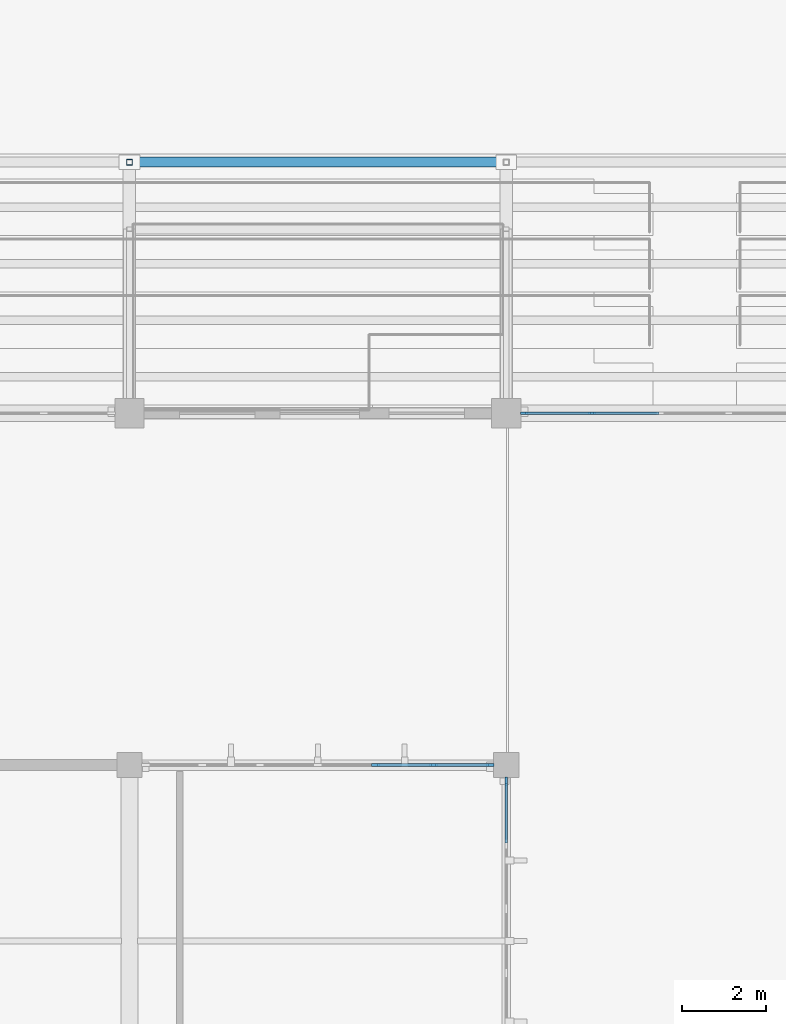
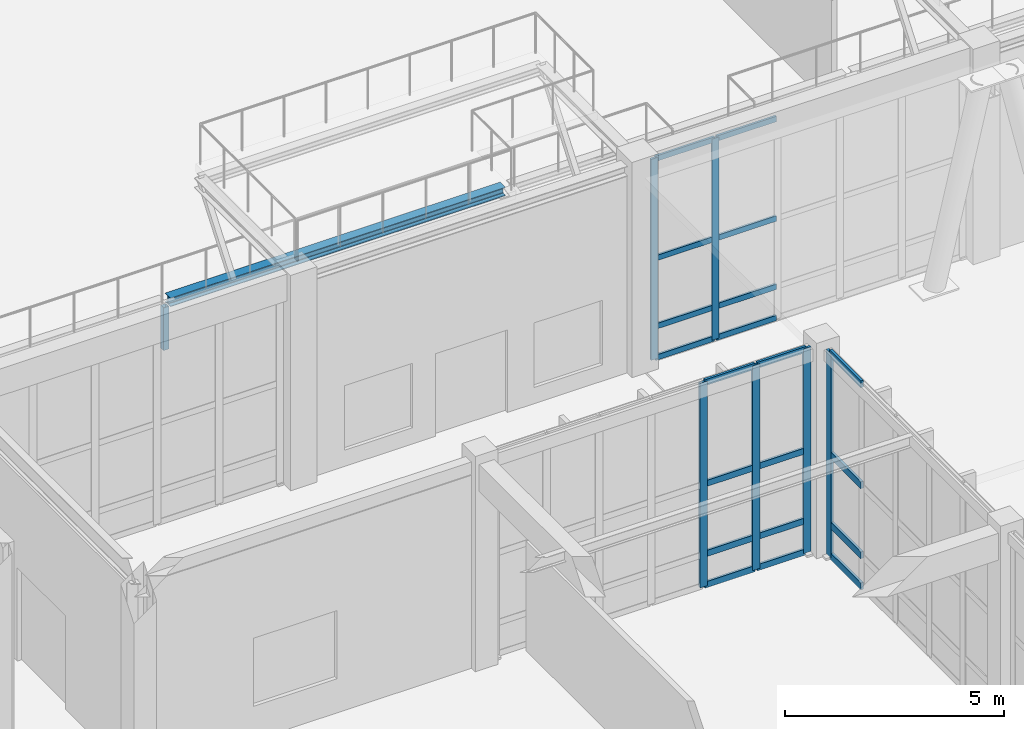
# One storey, part 36 of 110: 27 members, 1 beam, 3 elements without a shape of their own.
"""IFC4 building model written with IfcOpenShell, lengths in metres."""

import ifcopenshell
import ifcopenshell.guid

model = None  # the IFC model being written
_history = None  # IfcOwnerHistory: only IFC2X3 demands one
_inside = {}  # id of a spatial element -> (the spatial element, [elements in it])
_under = {}  # id of a project, library or spatial element -> (it, [spatial elements below it])
_declared = {}  # id of a project -> (the project, [libraries it declares])
_typed = {}  # id of a type object -> (the type object, [elements of that type])
_made_of = {}  # id of a material, layer set ... -> (it, [elements and type objects made of it])


def new_model(schema):
    """Start an empty IFC model of exactly this schema.

    Asked for "IFC4X3", IfcOpenShell would pick the latest addendum, in which some entities
    have other attributes; the version numbers below select the first issue.
    IFC2X3 requires an IfcOwnerHistory on every rooted entity: one is made here for all.
    """
    global model, _history
    if schema == "IFC4X3":
        model = ifcopenshell.file(schema_version=(4, 3, 0, 0))
    else:
        model = ifcopenshell.file(schema=schema)
    _inside.clear()
    _under.clear()
    _declared.clear()
    _typed.clear()
    _made_of.clear()
    _history = None
    if model.schema == "IFC2X3":
        org = make("IfcOrganization", Name="unknown")
        user = make(
            "IfcPersonAndOrganization",
            ThePerson=make("IfcPerson", FamilyName="unknown"),
            TheOrganization=org,
        )
        app = make(
            "IfcApplication",
            ApplicationDeveloper=org,
            Version="unknown",
            ApplicationFullName="unknown",
            ApplicationIdentifier="unknown",
        )
        _history = make(
            "IfcOwnerHistory",
            OwningUser=user,
            OwningApplication=app,
            ChangeAction="ADDED",
            CreationDate=0,
        )
    return model


def make(cls, **values):
    """One entity of the class cls with the attributes given. An attribute that is None is left unset."""
    return model.create_entity(
        cls, **{name: value for name, value in values.items() if value is not None}
    )


def rooted(cls, **values):
    """An entity with a GlobalId (a new one), such as an element, a storey or a relation."""
    return make(cls, GlobalId=ifcopenshell.guid.new(), OwnerHistory=_history, **values)


def si_unit(unit_type, name, prefix=None):
    """IfcSIUnit, for example si_unit("LENGTHUNIT", "METRE", prefix="MILLI")."""
    return make("IfcSIUnit", UnitType=unit_type, Prefix=prefix, Name=name)


def assignment(units):
    """IfcUnitAssignment: the units of a project."""
    return None if units is None else make("IfcUnitAssignment", Units=units)


def point(xyz):
    """IfcCartesianPoint."""
    return None if xyz is None else make("IfcCartesianPoint", Coordinates=xyz)


def direction(xyz):
    """IfcDirection."""
    return None if xyz is None else make("IfcDirection", DirectionRatios=xyz)


def frame(location, z_axis=None, x_axis=None):
    """IfcAxis2Placement3D, a coordinate frame: its origin and axes. An axis left out is left unset."""
    return make(
        "IfcAxis2Placement3D",
        Location=point(location),
        Axis=direction(z_axis),
        RefDirection=direction(x_axis),
    )


def frame_2d(location, x_axis=None):
    """IfcAxis2Placement2D, a coordinate frame in the plane: its origin and x axis."""
    return make(
        "IfcAxis2Placement2D", Location=point(location), RefDirection=direction(x_axis)
    )


def origin():
    """The frame at (0, 0, 0) with its axes left unset."""
    return frame((0.0, 0.0, 0.0))


def origin_2d():
    """The frame at (0, 0) in the plane with its x axis left unset."""
    return frame_2d((0.0, 0.0))


def place(relative_to, where):
    """IfcLocalPlacement: puts the frame where relative to a parent placement (None: the world)."""
    return make(
        "IfcLocalPlacement", PlacementRelTo=relative_to, RelativePlacement=where
    )


def context(
    kind, dimensions, precision=None, world=None, true_north=None, identifier=None
):
    """IfcGeometricRepresentationContext, for example the 3D "Model" context."""
    return make(
        "IfcGeometricRepresentationContext",
        ContextIdentifier=identifier,
        ContextType=kind,
        CoordinateSpaceDimension=dimensions,
        Precision=precision,
        WorldCoordinateSystem=world,
        TrueNorth=true_north,
    )


def subcontext(parent, identifier, kind, view, scale=None):
    """IfcGeometricRepresentationSubContext, for example "Body" below "Model"."""
    return make(
        "IfcGeometricRepresentationSubContext",
        ContextIdentifier=identifier,
        ContextType=kind,
        ParentContext=parent,
        TargetScale=scale,
        TargetView=view,
    )


def project(units=None, contexts=None):
    """IfcProject with its units and contexts."""
    return rooted(
        "IfcProject",
        Name="project",
        RepresentationContexts=contexts,
        UnitsInContext=assignment(units),
    )


def spatial(cls, under=None, at=None, **own):
    """A site, building, storey or space (cls), placed at a placement, below another one or the project."""
    s = rooted(cls, ObjectPlacement=at, **own)
    if under is not None:
        _under.setdefault(under.id(), (under, []))[1].append(s)
    return s


def profile(cls, at=None, kind="AREA", **sizes):
    """A parametric profile (cls). Its sizes go by their IFC names, for example OverallWidth=200.0."""
    return make(cls, ProfileType=kind, Position=at, **sizes)


def rectangle(**sizes):
    """IfcRectangleProfileDef."""
    return profile("IfcRectangleProfileDef", **sizes)


def hollow_rectangle(**sizes):
    """IfcRectangleHollowProfileDef."""
    return profile("IfcRectangleHollowProfileDef", **sizes)


def i_section(**sizes):
    """IfcIShapeProfileDef."""
    return profile("IfcIShapeProfileDef", **sizes)


def extrude(swept, where, along, depth):
    """IfcExtrudedAreaSolid: the profile swept, set in the frame where, extruded along a direction by depth."""
    return make(
        "IfcExtrudedAreaSolid",
        SweptArea=swept,
        Position=where,
        ExtrudedDirection=direction(along),
        Depth=depth,
    )


def shape(context_of_items, identifier, shape_type, items):
    """IfcShapeRepresentation: the items that make up one representation, for example the "Body"."""
    return make(
        "IfcShapeRepresentation",
        ContextOfItems=context_of_items,
        RepresentationIdentifier=identifier,
        RepresentationType=shape_type,
        Items=items,
    )


def material(Name=None, Category=None):
    """IfcMaterial."""
    return make("IfcMaterial", Name=Name, Category=Category)


def material_profile(
    of_material, cross_section, Name=None, Category=None, Priority=None
):
    """IfcMaterialProfile: a cross section and its material."""
    return make(
        "IfcMaterialProfile",
        Name=Name,
        Material=of_material,
        Profile=cross_section,
        Priority=Priority,
        Category=Category,
    )


def profile_set(profiles, Name=None, composite=None):
    """IfcMaterialProfileSet."""
    return make(
        "IfcMaterialProfileSet",
        Name=Name,
        MaterialProfiles=profiles,
        CompositeProfile=composite,
    )


def made_of(thing, what):
    """Note that an element or type object is made of a material, layer set ...; save() writes the relation."""
    if what is not None:
        _made_of.setdefault(what.id(), (what, []))[1].append(thing)
    return thing


def type_object(cls, material=None, **own):
    """A type object (cls), such as IfcWallType, which elements share."""
    return made_of(rooted(cls, **own), material)


def element(
    cls,
    number,
    at=None,
    inside=None,
    cuts=None,
    type_object=None,
    material=None,
    context=None,
    identifier="Body",
    shape_type=None,
    held_by="IfcProductDefinitionShape",
    body=None,
    shapes=None,
    **own,
):
    """One element of the class cls, such as IfcWall. Its Tag is "e" and its number.

    at: its placement. inside: the storey or other place that contains it. cuts: it is an
    opening in that element (IfcRelVoidsElement). A single representation is given by context,
    identifier, shape_type and body (its items); several are given by shapes. held_by: the class
    of the entity that holds the representations. save() writes the other relations.
    """
    e = rooted(cls, Tag="e%d" % number, ObjectPlacement=at, **own)
    if body is not None:
        shapes = [shape(context, identifier, shape_type, body)]
    if shapes is not None:
        e.Representation = make(held_by, Representations=shapes)
    if inside is not None:
        _inside.setdefault(inside.id(), (inside, []))[1].append(e)
    if cuts is not None:
        rooted(
            "IfcRelVoidsElement", RelatingBuildingElement=cuts, RelatedOpeningElement=e
        )
    if type_object is not None:
        _typed.setdefault(type_object.id(), (type_object, []))[1].append(e)
    return made_of(e, material)


def aggregate(whole, parts):
    """IfcRelAggregates: a whole, such as a stair, and the parts it consists of."""
    return rooted("IfcRelAggregates", RelatingObject=whole, RelatedObjects=parts)


def save(model, path):
    """Write the relations noted so far, then the file.

    IfcRelAggregates (storeys below a building ...), IfcRelContainedInSpatialStructure (elements
    in a storey), IfcRelDefinesByType, IfcRelAssociatesMaterial and IfcRelDeclares: one each for
    every whole, place, type object, material and project.
    """
    for whole, parts in _under.values():
        aggregate(whole, parts)
    for where, things in _inside.values():
        rooted(
            "IfcRelContainedInSpatialStructure",
            RelatedElements=things,
            RelatingStructure=where,
        )
    for kind, things in _typed.values():
        rooted("IfcRelDefinesByType", RelatedObjects=things, RelatingType=kind)
    for what, things in _made_of.values():
        rooted("IfcRelAssociatesMaterial", RelatedObjects=things, RelatingMaterial=what)
    for by, libraries in _declared.values():
        rooted("IfcRelDeclares", RelatingContext=by, RelatedDefinitions=libraries)
    model.write(path)


model = new_model("IFC4")

# Units and contexts
model_context = context("Model", 3, precision=1e-05, world=origin(), true_north=direction((0.0, 1.0)))
body_context = subcontext(model_context, "Body", "Model", "MODEL_VIEW")
ifc_project = project(units=[si_unit("LENGTHUNIT", "METRE"), si_unit("AREAUNIT", "SQUARE_METRE"), si_unit("VOLUMEUNIT", "CUBIC_METRE"), si_unit("PLANEANGLEUNIT", "RADIAN"), si_unit("MASSUNIT", "GRAM", prefix="KILO")], contexts=[model_context])

# Site, building, storey
site_placement = place(None, origin())
site = spatial("IfcSite", under=ifc_project, at=site_placement, CompositionType="ELEMENT")
building_placement = place(site_placement, origin())
building = spatial("IfcBuilding", under=site, at=building_placement, Name="Tizgana Railside Sports Hall", CompositionType="ELEMENT")
storey_placement = place(building_placement, origin())
storey = spatial("IfcBuildingStorey", under=building, at=storey_placement, Name="L00", CompositionType="ELEMENT", Elevation=0.0)

# Curtain wall, members
ifc_material_1 = material(Name="Anodised aluminium and glass", Category="aluminium")
curtain_wall_type_1 = type_object("IfcCurtainWallType", Name="Unitised Curtain Wall Clinic 1200", PredefinedType="NOTDEFINED", material=ifc_material_1)
curtain_wall_1_placement = place(storey_placement, origin())
curtain_wall_1 = element("IfcCurtainWall", 1, at=curtain_wall_1_placement, inside=storey, type_object=curtain_wall_type_1, Name="L00 Curtain Wall CW-0020", PredefinedType="NOTDEFINED")
ifc_material_2 = material(Name="Anodised aluminium", Category="aluminium")
ifc_material_profile_1 = material_profile(ifc_material_2, rectangle(XDim=0.06005859375, YDim=0.179931640625, at=origin_2d()), Name="Mullion 60x180")
ifc_profile_set_1 = profile_set([ifc_material_profile_1], Name="Anodised aluminium")
member_type_1 = type_object("IfcMemberType", Name="Mullion 60x180", PredefinedType="MULLION", material=ifc_profile_set_1)
member_1_placement = place(storey_placement, frame((99.843017578125, 40.800048828125, 0.044921875), z_axis=(0.0, 0.0, 1.0), x_axis=(0.0, -1.0, 0.0)))
member_1 = element("IfcMember", 2, at=member_1_placement, type_object=member_type_1, Name="CW-05 mullion 5", PredefinedType="MULLION", context=body_context, shape_type="SweptSolid", body=[
    extrude(rectangle(XDim=0.06005859375, YDim=0.179931640625, at=origin_2d()), origin(), (0.0, 0.0, 1.0), 5.60498046875),
])
member_2_placement = place(storey_placement, frame((98.235107421875, 40.800048828125, 0.044921875), z_axis=(0.0, 0.0, 1.0), x_axis=(0.0, -1.0, 0.0)))
member_2 = element("IfcMember", 3, at=member_2_placement, type_object=member_type_1, Name="CW-05 mullion 6", PredefinedType="MULLION", context=body_context, shape_type="SweptSolid", body=[
    extrude(rectangle(XDim=0.06005859375, YDim=0.179931640625, at=origin_2d()), origin(), (0.0, 0.0, 1.0), 5.60498046875),
])

curtain_wall_type_2 = type_object("IfcCurtainWallType", Name="Unitised Curtain Wall Foyer 1300", PredefinedType="NOTDEFINED", material=ifc_material_1)
curtain_wall_2_placement = place(storey_placement, origin())
curtain_wall_2 = element("IfcCurtainWall", 4, at=curtain_wall_2_placement, inside=storey, type_object=curtain_wall_type_2, Name="L00 Curtain Wall CW-0081", PredefinedType="NOTDEFINED")
ifc_material_profile_2 = material_profile(ifc_material_2, rectangle(XDim=0.06494140625, YDim=0.199951171875, at=origin_2d()), Name="Mullion 65x200")
ifc_profile_set_2 = profile_set([ifc_material_profile_2], Name="Anodised aluminium")
member_type_2 = type_object("IfcMemberType", Name="Mullion 65x200", PredefinedType="MULLION", material=ifc_profile_set_2)
member_3_placement = place(storey_placement, frame((94.681640625, 32.39990234375, 0.044921875), z_axis=(0.0, 0.0, 1.0), x_axis=(0.0, 1.0, 0.0)))
member_3 = element("IfcMember", 5, at=member_3_placement, type_object=member_type_2, Name="CW-02 mullion 5", PredefinedType="MULLION", context=body_context, shape_type="SweptSolid", body=[
    extrude(rectangle(XDim=0.06494140625, YDim=0.199951171875, at=origin_2d()), origin(), (0.0, 0.0, 1.0), 5.705078125),
])
member_4_placement = place(storey_placement, frame((96.063232421875, 32.39990234375, 0.044921875), z_axis=(0.0, 0.0, 1.0), x_axis=(0.0, 1.0, 0.0)))
member_4 = element("IfcMember", 6, at=member_4_placement, type_object=member_type_2, Name="CW-02 mullion 6", PredefinedType="MULLION", context=body_context, shape_type="SweptSolid", body=[
    extrude(rectangle(XDim=0.06494140625, YDim=0.199951171875, at=origin_2d()), origin(), (0.0, 0.0, 1.0), 5.705078125),
])
member_5_placement = place(storey_placement, frame((97.41259765625, 32.39990234375, 0.044921875), z_axis=(0.0, 0.0, 1.0), x_axis=(0.0, 1.0, 0.0)))
member_5 = element("IfcMember", 7, at=member_5_placement, type_object=member_type_2, Name="CW-02 mullion 7", PredefinedType="MULLION", context=body_context, shape_type="SweptSolid", body=[
    extrude(rectangle(XDim=0.06494140625, YDim=0.199951171875, at=origin_2d()), origin(), (0.0, 0.0, 1.0), 5.705078125),
])

# Curtain wall, member
curtain_wall_type_3 = type_object("IfcCurtainWallType", Name="Unitised Curtain Wall Concourse 1500", PredefinedType="NOTDEFINED", material=ifc_material_1)
curtain_wall_3_placement = place(storey_placement, origin())
curtain_wall_3 = element("IfcCurtainWall", 8, at=curtain_wall_3_placement, inside=storey, type_object=curtain_wall_type_3, Name="L00 Curtain Wall CW-0088", PredefinedType="NOTDEFINED")
ifc_material_profile_3 = material_profile(ifc_material_2, rectangle(XDim=0.070068359375, YDim=0.219970703125, at=origin_2d()), Name="Mullion 70x220")
ifc_profile_set_3 = profile_set([ifc_material_profile_3], Name="Anodised aluminium")
member_type_3 = type_object("IfcMemberType", Name="Mullion 70x220", PredefinedType="MULLION", material=ifc_profile_set_3)
member_6_placement = place(storey_placement, frame((97.800048828125, 32.010009765625, 0.044921875), z_axis=(0.0, 0.0, 1.0), x_axis=(1.0, 0.0, 0.0)))
member_6 = element("IfcMember", 9, at=member_6_placement, type_object=member_type_3, Name="CW-01 mullion 1", PredefinedType="MULLION", context=body_context, shape_type="SweptSolid", body=[
    extrude(rectangle(XDim=0.070068359375, YDim=0.219970703125, at=origin_2d()), origin(), (0.0, 0.0, 1.0), 5.705078125),
])

# Beam
ifc_material_3 = material(Name="Steel S355J2", Category="steel")
ifc_material_profile_4 = material_profile(ifc_material_3, i_section(OverallWidth=0.239990234375, OverallDepth=0.239990234375, WebThickness=0.010009765625, FlangeThickness=0.01708984375, FilletRadius=0.02099609375, at=origin_2d()), Name="HEB 240")
ifc_profile_set_4 = profile_set([ifc_material_profile_4], Name="Steel S355J2")
beam_type = type_object("IfcBeamType", Name="Steel Beam HEB 240", PredefinedType="BEAM", material=ifc_profile_set_4)
beam_placement = place(storey_placement, frame((88.8798828125, 46.800048828125, 1.320068359375), z_axis=(1.0, 0.0, 0.0), x_axis=(0.0, 1.0, 0.0)))
element("IfcBeam", 10, at=beam_placement, inside=storey, type_object=beam_type, Name="L00 Stand Rear Header SHB-0007", PredefinedType="BEAM", context=body_context, shape_type="SweptSolid", body=[
    extrude(i_section(OverallWidth=0.239990234375, OverallDepth=0.239990234375, WebThickness=0.010009765625, FlangeThickness=0.01708984375, FilletRadius=0.02099609375, at=origin_2d()), origin(), (0.0, 0.0, 1.0), 8.840087890625),
])

# Member
ifc_material_profile_5 = material_profile(ifc_material_3, hollow_rectangle(XDim=0.139892578125, YDim=0.139892578125, WallThickness=0.008056640625, at=origin_2d()), Name="SHS 140x140x8")
ifc_profile_set_5 = profile_set([ifc_material_profile_5], Name="Steel S355J2")
member_type_4 = type_object("IfcMemberType", Name="Steel Brace SHS 140x140x8", PredefinedType="BRACE", material=ifc_profile_set_5)
member_7_placement = place(storey_placement, frame((88.800048828125, 46.800048828125, 0.0), z_axis=(0.0, 0.0, 1.0), x_axis=(1.0, 0.0, 0.0)))
element("IfcMember", 11, at=member_7_placement, inside=storey, type_object=member_type_4, Name="L00 Stand Strut", PredefinedType="BRACE", context=body_context, shape_type="SweptSolid", body=[
    extrude(hollow_rectangle(XDim=0.139892578125, YDim=0.139892578125, WallThickness=0.008056640625, at=origin_2d()), origin(), (0.0, 0.0, 1.0), 1.18994140625),
])

ifc_material_profile_6 = material_profile(ifc_material_2, rectangle(XDim=0.06005859375, YDim=0.14990234375, at=origin_2d()), Name="Transom 60x150")
ifc_profile_set_6 = profile_set([ifc_material_profile_6], Name="Anodised aluminium")
member_type_5 = type_object("IfcMemberType", Name="Transom 60x150", PredefinedType="USERDEFINED", material=ifc_profile_set_6)
member_8_placement = place(storey_placement, frame((101.450927734375, 40.800048828125, 0.074951171875), z_axis=(-1.0, 0.0, 0.0), x_axis=(0.0, -1.0, 0.0)))
member_8 = element("IfcMember", 12, at=member_8_placement, type_object=member_type_5, Name="CW-05 transom 4.1", ObjectType="TRANSOM", PredefinedType="USERDEFINED", context=body_context, shape_type="SweptSolid", body=[
    extrude(rectangle(XDim=0.06005859375, YDim=0.14990234375, at=origin_2d()), origin(), (0.0, 0.0, 1.0), 1.577880859375),
])

member_9_placement = place(storey_placement, frame((101.450927734375, 40.800048828125, 0.945068359375), z_axis=(-1.0, 0.0, 0.0), x_axis=(0.0, -1.0, 0.0)))
member_9 = element("IfcMember", 13, at=member_9_placement, type_object=member_type_5, Name="CW-05 transom 4.2", ObjectType="TRANSOM", PredefinedType="USERDEFINED", context=body_context, shape_type="SweptSolid", body=[
    extrude(rectangle(XDim=0.06005859375, YDim=0.14990234375, at=origin_2d()), origin(), (0.0, 0.0, 1.0), 1.577880859375),
])

member_10_placement = place(storey_placement, frame((101.450927734375, 40.800048828125, 2.847412109375), z_axis=(-1.0, 0.0, 0.0), x_axis=(0.0, -1.0, 0.0)))
member_10 = element("IfcMember", 14, at=member_10_placement, type_object=member_type_5, Name="CW-05 transom 4.3", ObjectType="TRANSOM", PredefinedType="USERDEFINED", context=body_context, shape_type="SweptSolid", body=[
    extrude(rectangle(XDim=0.06005859375, YDim=0.14990234375, at=origin_2d()), origin(), (0.0, 0.0, 1.0), 1.577880859375),
])

member_11_placement = place(storey_placement, frame((101.450927734375, 40.800048828125, 5.6201171875), z_axis=(-1.0, 0.0, 0.0), x_axis=(0.0, -1.0, 0.0)))
member_11 = element("IfcMember", 15, at=member_11_placement, type_object=member_type_5, Name="CW-05 transom 4.4", ObjectType="TRANSOM", PredefinedType="USERDEFINED", context=body_context, shape_type="SweptSolid", body=[
    extrude(rectangle(XDim=0.06005859375, YDim=0.14990234375, at=origin_2d()), origin(), (0.0, 0.0, 1.0), 1.577880859375),
])

member_12_placement = place(storey_placement, frame((99.81298828125, 40.800048828125, 0.074951171875), z_axis=(-1.0, 0.0, 0.0), x_axis=(0.0, -1.0, 0.0)))
member_12 = element("IfcMember", 16, at=member_12_placement, type_object=member_type_5, Name="CW-05 transom 5.1", ObjectType="TRANSOM", PredefinedType="USERDEFINED", context=body_context, shape_type="SweptSolid", body=[
    extrude(rectangle(XDim=0.06005859375, YDim=0.14990234375, at=origin_2d()), origin(), (0.0, 0.0, 1.0), 1.548095703125),
])

member_13_placement = place(storey_placement, frame((99.81298828125, 40.800048828125, 0.945068359375), z_axis=(-1.0, 0.0, 0.0), x_axis=(0.0, -1.0, 0.0)))
member_13 = element("IfcMember", 17, at=member_13_placement, type_object=member_type_5, Name="CW-05 transom 5.2", ObjectType="TRANSOM", PredefinedType="USERDEFINED", context=body_context, shape_type="SweptSolid", body=[
    extrude(rectangle(XDim=0.06005859375, YDim=0.14990234375, at=origin_2d()), origin(), (0.0, 0.0, 1.0), 1.548095703125),
])

member_14_placement = place(storey_placement, frame((99.81298828125, 40.800048828125, 2.847412109375), z_axis=(-1.0, 0.0, 0.0), x_axis=(0.0, -1.0, 0.0)))
member_14 = element("IfcMember", 18, at=member_14_placement, type_object=member_type_5, Name="CW-05 transom 5.3", ObjectType="TRANSOM", PredefinedType="USERDEFINED", context=body_context, shape_type="SweptSolid", body=[
    extrude(rectangle(XDim=0.06005859375, YDim=0.14990234375, at=origin_2d()), origin(), (0.0, 0.0, 1.0), 1.548095703125),
])

member_15_placement = place(storey_placement, frame((99.81298828125, 40.800048828125, 5.6201171875), z_axis=(-1.0, 0.0, 0.0), x_axis=(0.0, -1.0, 0.0)))
member_15 = element("IfcMember", 19, at=member_15_placement, type_object=member_type_5, Name="CW-05 transom 5.4", ObjectType="TRANSOM", PredefinedType="USERDEFINED", context=body_context, shape_type="SweptSolid", body=[
    extrude(rectangle(XDim=0.06005859375, YDim=0.14990234375, at=origin_2d()), origin(), (0.0, 0.0, 1.0), 1.548095703125),
])

aggregate(curtain_wall_1, [member_1, member_2, member_8, member_9, member_10, member_11, member_12, member_13, member_14, member_15])

ifc_material_profile_7 = material_profile(ifc_material_2, rectangle(XDim=0.06494140625, YDim=0.169921875, at=origin_2d()), Name="Transom 65x170")
ifc_profile_set_7 = profile_set([ifc_material_profile_7], Name="Anodised aluminium")
member_type_6 = type_object("IfcMemberType", Name="Transom 65x170", PredefinedType="USERDEFINED", material=ifc_profile_set_7)
member_16_placement = place(storey_placement, frame((94.714111328125, 32.39990234375, 0.077392578125), z_axis=(1.0, 0.0, 0.0), x_axis=(0.0, 1.0, 0.0)))
member_16 = element("IfcMember", 20, at=member_16_placement, type_object=member_type_6, Name="CW-02 transom 5.1", ObjectType="TRANSOM", PredefinedType="USERDEFINED", context=body_context, shape_type="SweptSolid", body=[
    extrude(rectangle(XDim=0.06494140625, YDim=0.169921875, at=origin_2d()), origin(), (0.0, 0.0, 1.0), 1.316650390625),
])

member_17_placement = place(storey_placement, frame((94.714111328125, 32.39990234375, 0.945068359375), z_axis=(1.0, 0.0, 0.0), x_axis=(0.0, 1.0, 0.0)))
member_17 = element("IfcMember", 21, at=member_17_placement, type_object=member_type_6, Name="CW-02 transom 5.2", ObjectType="TRANSOM", PredefinedType="USERDEFINED", context=body_context, shape_type="SweptSolid", body=[
    extrude(rectangle(XDim=0.06494140625, YDim=0.169921875, at=origin_2d()), origin(), (0.0, 0.0, 1.0), 1.316650390625),
])

member_18_placement = place(storey_placement, frame((94.714111328125, 32.39990234375, 2.8974609375), z_axis=(1.0, 0.0, 0.0), x_axis=(0.0, 1.0, 0.0)))
member_18 = element("IfcMember", 22, at=member_18_placement, type_object=member_type_6, Name="CW-02 transom 5.3", ObjectType="TRANSOM", PredefinedType="USERDEFINED", context=body_context, shape_type="SweptSolid", body=[
    extrude(rectangle(XDim=0.06494140625, YDim=0.169921875, at=origin_2d()), origin(), (0.0, 0.0, 1.0), 1.316650390625),
])

member_19_placement = place(storey_placement, frame((94.714111328125, 32.39990234375, 5.717529296875), z_axis=(1.0, 0.0, 0.0), x_axis=(0.0, 1.0, 0.0)))
member_19 = element("IfcMember", 23, at=member_19_placement, type_object=member_type_6, Name="CW-02 transom 5.4", ObjectType="TRANSOM", PredefinedType="USERDEFINED", context=body_context, shape_type="SweptSolid", body=[
    extrude(rectangle(XDim=0.06494140625, YDim=0.169921875, at=origin_2d()), origin(), (0.0, 0.0, 1.0), 1.316650390625),
])

member_20_placement = place(storey_placement, frame((96.095947265625, 32.39990234375, 0.077392578125), z_axis=(1.0, 0.0, 0.0), x_axis=(0.0, 1.0, 0.0)))
member_20 = element("IfcMember", 24, at=member_20_placement, type_object=member_type_6, Name="CW-02 transom 6.1", ObjectType="TRANSOM", PredefinedType="USERDEFINED", context=body_context, shape_type="SweptSolid", body=[
    extrude(rectangle(XDim=0.06494140625, YDim=0.169921875, at=origin_2d()), origin(), (0.0, 0.0, 1.0), 1.283935546875),
])

member_21_placement = place(storey_placement, frame((96.095947265625, 32.39990234375, 0.945068359375), z_axis=(1.0, 0.0, 0.0), x_axis=(0.0, 1.0, 0.0)))
member_21 = element("IfcMember", 25, at=member_21_placement, type_object=member_type_6, Name="CW-02 transom 6.2", ObjectType="TRANSOM", PredefinedType="USERDEFINED", context=body_context, shape_type="SweptSolid", body=[
    extrude(rectangle(XDim=0.06494140625, YDim=0.169921875, at=origin_2d()), origin(), (0.0, 0.0, 1.0), 1.283935546875),
])

member_22_placement = place(storey_placement, frame((96.095947265625, 32.39990234375, 2.8974609375), z_axis=(1.0, 0.0, 0.0), x_axis=(0.0, 1.0, 0.0)))
member_22 = element("IfcMember", 26, at=member_22_placement, type_object=member_type_6, Name="CW-02 transom 6.3", ObjectType="TRANSOM", PredefinedType="USERDEFINED", context=body_context, shape_type="SweptSolid", body=[
    extrude(rectangle(XDim=0.06494140625, YDim=0.169921875, at=origin_2d()), origin(), (0.0, 0.0, 1.0), 1.283935546875),
])

member_23_placement = place(storey_placement, frame((96.095947265625, 32.39990234375, 5.717529296875), z_axis=(1.0, 0.0, 0.0), x_axis=(0.0, 1.0, 0.0)))
member_23 = element("IfcMember", 27, at=member_23_placement, type_object=member_type_6, Name="CW-02 transom 6.4", ObjectType="TRANSOM", PredefinedType="USERDEFINED", context=body_context, shape_type="SweptSolid", body=[
    extrude(rectangle(XDim=0.06494140625, YDim=0.169921875, at=origin_2d()), origin(), (0.0, 0.0, 1.0), 1.283935546875),
])

aggregate(curtain_wall_2, [member_3, member_4, member_5, member_16, member_17, member_18, member_19, member_20, member_21, member_22, member_23])

ifc_material_profile_8 = material_profile(ifc_material_2, rectangle(XDim=0.070068359375, YDim=0.18994140625, at=origin_2d()), Name="Transom 70x190")
ifc_profile_set_8 = profile_set([ifc_material_profile_8], Name="Anodised aluminium")
member_type_7 = type_object("IfcMemberType", Name="Transom 70x190", PredefinedType="USERDEFINED", material=ifc_profile_set_8)
member_24_placement = place(storey_placement, frame((97.800048828125, 31.97509765625, 0.080078125), z_axis=(0.0, -1.0, 0.0), x_axis=(1.0, 0.0, 0.0)))
member_24 = element("IfcMember", 28, at=member_24_placement, type_object=member_type_7, Name="CW-01 transom 1.1", ObjectType="TRANSOM", PredefinedType="USERDEFINED", context=body_context, shape_type="SweptSolid", body=[
    extrude(rectangle(XDim=0.070068359375, YDim=0.18994140625, at=origin_2d()), origin(), (0.0, 0.0, 1.0), 1.43310546875),
])

member_25_placement = place(storey_placement, frame((97.800048828125, 31.97509765625, 0.945068359375), z_axis=(0.0, -1.0, 0.0), x_axis=(1.0, 0.0, 0.0)))
member_25 = element("IfcMember", 29, at=member_25_placement, type_object=member_type_7, Name="CW-01 transom 1.2", ObjectType="TRANSOM", PredefinedType="USERDEFINED", context=body_context, shape_type="SweptSolid", body=[
    extrude(rectangle(XDim=0.070068359375, YDim=0.18994140625, at=origin_2d()), origin(), (0.0, 0.0, 1.0), 1.43310546875),
])

member_26_placement = place(storey_placement, frame((97.800048828125, 31.97509765625, 2.8974609375), z_axis=(0.0, -1.0, 0.0), x_axis=(1.0, 0.0, 0.0)))
member_26 = element("IfcMember", 30, at=member_26_placement, type_object=member_type_7, Name="CW-01 transom 1.3", ObjectType="TRANSOM", PredefinedType="USERDEFINED", context=body_context, shape_type="SweptSolid", body=[
    extrude(rectangle(XDim=0.070068359375, YDim=0.18994140625, at=origin_2d()), origin(), (0.0, 0.0, 1.0), 1.43310546875),
])

member_27_placement = place(storey_placement, frame((97.800048828125, 31.97509765625, 5.715087890625), z_axis=(0.0, -1.0, 0.0), x_axis=(1.0, 0.0, 0.0)))
member_27 = element("IfcMember", 31, at=member_27_placement, type_object=member_type_7, Name="CW-01 transom 1.4", ObjectType="TRANSOM", PredefinedType="USERDEFINED", context=body_context, shape_type="SweptSolid", body=[
    extrude(rectangle(XDim=0.070068359375, YDim=0.18994140625, at=origin_2d()), origin(), (0.0, 0.0, 1.0), 1.43310546875),
])

aggregate(curtain_wall_3, [member_6, member_24, member_25, member_26, member_27])

save(model, "model.ifc")
